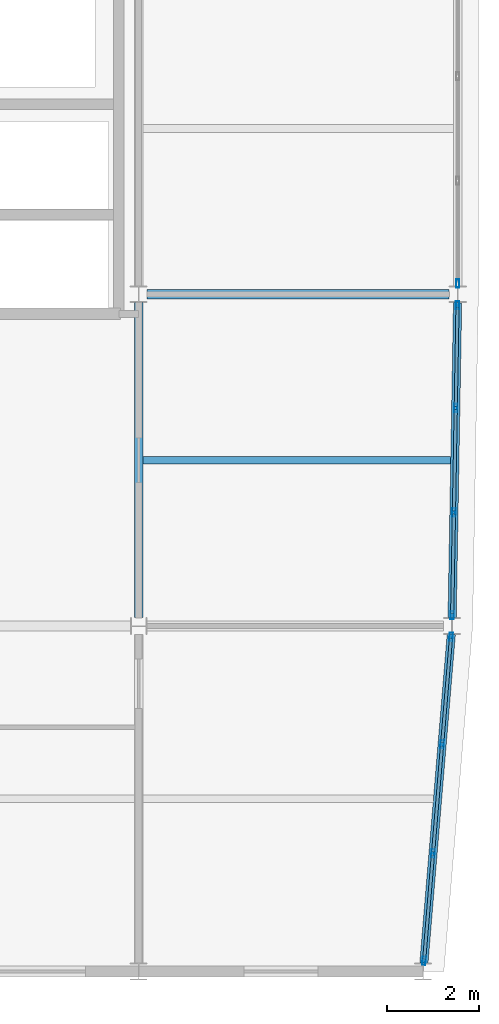
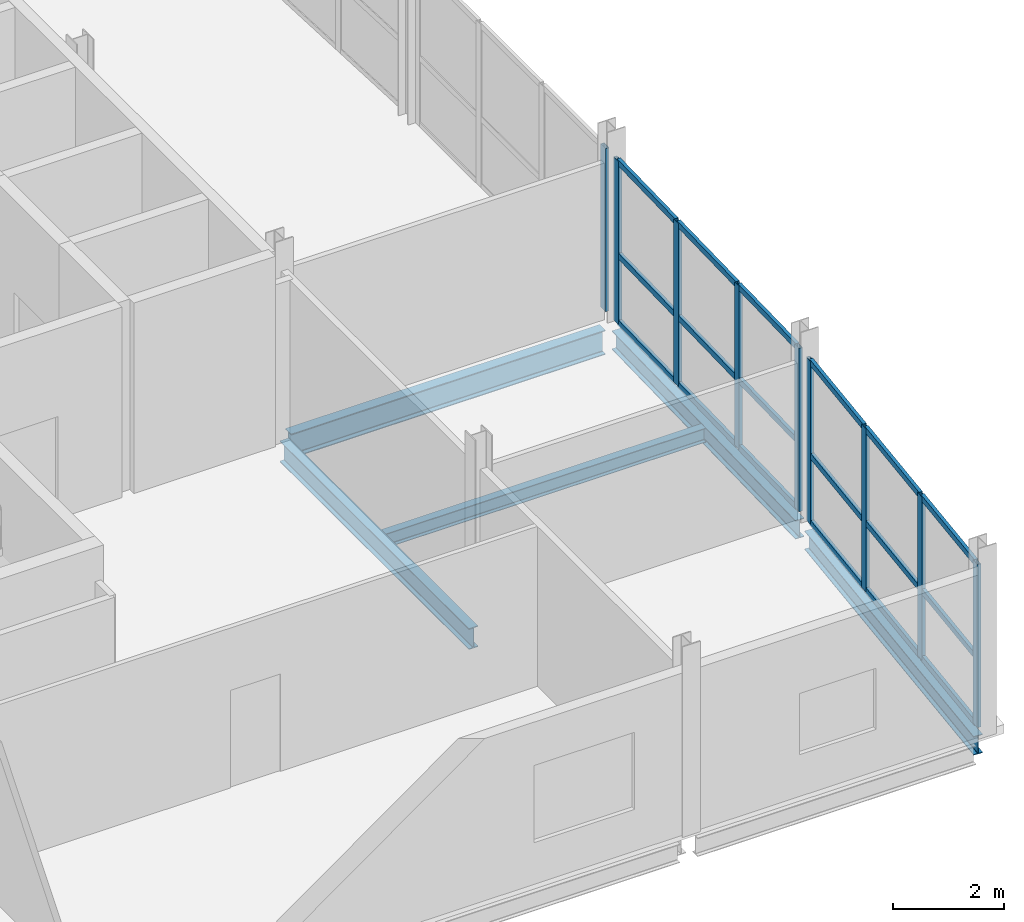
# One storey, part 2 of 16: 27 members, 5 beams, 3 elements without a shape of their own.
"""IFC4 building model written with IfcOpenShell, lengths in metres."""

from ifc_helpers import new_model, si_unit, direction, frame, origin, origin_2d, place, context, subcontext, project, spatial, hollow_rectangle, i_section, extrude, material, layer, layer_set, material_profile, profile_set, type_object, element, aggregate, save


model = new_model("IFC4")

# Units and contexts
model_context = context("Model", 3, precision=1e-05, world=origin(), true_north=direction((0.0, 1.0)))
body_context = subcontext(model_context, "Body", "Model", "MODEL_VIEW")
ifc_project = project(units=[si_unit("LENGTHUNIT", "METRE"), si_unit("AREAUNIT", "SQUARE_METRE"), si_unit("VOLUMEUNIT", "CUBIC_METRE"), si_unit("PLANEANGLEUNIT", "RADIAN"), si_unit("MASSUNIT", "GRAM", prefix="KILO")], contexts=[model_context])

# Site, building, storey
site_placement = place(None, origin())
site = spatial("IfcSite", under=ifc_project, at=site_placement, CompositionType="ELEMENT")
building_placement = place(site_placement, origin())
building = spatial("IfcBuilding", under=site, at=building_placement, Name="Quillay Park Conservatory", CompositionType="ELEMENT")
storey_placement = place(building_placement, frame((0.0, 0.0, 39.300048828125)))
storey = spatial("IfcBuildingStorey", under=building, at=storey_placement, Name="L09", CompositionType="ELEMENT", Elevation=39.300048828125)

# Beam
ifc_material_1 = material(Name="Steel ASTM A992 Grade 50", Category="steel")
ifc_material_profile_1 = material_profile(ifc_material_1, i_section(OverallWidth=0.166015625, OverallDepth=0.31298828125, WebThickness=0.006591796875, FlangeThickness=0.01123046875, FilletRadius=0.010009765625, at=origin_2d()), Name="W310x45")
ifc_profile_set_1 = profile_set([ifc_material_profile_1], Name="Steel ASTM A992 Grade 50")
beam_type_1 = type_object("IfcBeamType", Name="COMPOSITE FLOOR JOIST W310 X45", PredefinedType="JOIST", material=ifc_profile_set_1)
beam_1_placement = place(storey_placement, frame((19.845947265625, 81.60009765625, -0.3564453125), z_axis=(1.0, 0.0, 0.0), x_axis=(0.0, 1.0, 0.0)))
element("IfcBeam", 1, at=beam_1_placement, inside=storey, type_object=beam_type_1, Name="L09 beam BM-J-0683", PredefinedType="JOIST", context=body_context, shape_type="SweptSolid", body=[
    extrude(i_section(OverallWidth=0.166015625, OverallDepth=0.31298828125, WebThickness=0.006591796875, FlangeThickness=0.01123046875, FilletRadius=0.010009765625, at=origin_2d()), origin(), (0.0, 0.0, 1.0), 6.676513671875),
])

# Curtain wall, members
ifc_material_2 = material(Name="Thermally Broken Anodised Aluminium 6063-T6", Category="aluminium")
ifc_layer = layer(ifc_material_2, 0.179931640625)
ifc_layer_set = layer_set([ifc_layer], Name="UNITISED CURTAIN WALL TOWER (Thermally Broken Anodised Aluminium 6063-T6)")
curtain_wall_type = type_object("IfcCurtainWallType", Name="UNITISED CURTAIN WALL TOWER", PredefinedType="USERDEFINED", material=ifc_layer_set)
curtain_wall_1_placement = place(storey_placement, origin())
curtain_wall_1 = element("IfcCurtainWall", 2, at=curtain_wall_1_placement, inside=storey, type_object=curtain_wall_type, Name="L09 Unitised Curtain Wall 087", ObjectType="UNITISED CURTAIN WALL", PredefinedType="USERDEFINED")
ifc_material_3 = material(Name="Thermally Broken Anodised Aluminium 6063-T6", Category="aluminium")
ifc_material_profile_2 = material_profile(ifc_material_3, hollow_rectangle(XDim=0.070068359375, YDim=0.179931640625, WallThickness=0.00390625, at=origin_2d()), Name="AL70x180x4")
ifc_profile_set_2 = profile_set([ifc_material_profile_2], Name="Thermally Broken Anodised Aluminium 6063-T6")
member_type_1 = type_object("IfcMemberType", Name="CURTAIN WALL MULLION 70 X180", PredefinedType="MULLION", material=ifc_profile_set_2)
member_1_placement = place(storey_placement, frame((26.530517578125, 77.765869140625, 0.0), z_axis=(0.0, 0.0, 1.0), x_axis=(0.996545564682, -0.083047802572, 0.0)))
member_1 = element("IfcMember", 3, at=member_1_placement, type_object=member_type_1, Name="CW-T1 mullion 1", PredefinedType="MULLION", context=body_context, shape_type="SweptSolid", body=[
    extrude(hollow_rectangle(XDim=0.070068359375, YDim=0.179931640625, WallThickness=0.00390625, at=origin_2d()), origin(), (0.0, 0.0, 1.0), 3.598876953125),
])
member_2_placement = place(storey_placement, frame((26.336181640625, 75.43359375, 0.0), z_axis=(0.0, 0.0, 1.0), x_axis=(0.996545564682, -0.083047802572, 0.0)))
member_2 = element("IfcMember", 4, at=member_2_placement, type_object=member_type_1, Name="CW-T1 mullion 2", PredefinedType="MULLION", context=body_context, shape_type="SweptSolid", body=[
    extrude(hollow_rectangle(XDim=0.070068359375, YDim=0.179931640625, WallThickness=0.00390625, at=origin_2d()), origin(), (0.0, 0.0, 1.0), 3.598876953125),
])
member_3_placement = place(storey_placement, frame((26.138916015625, 73.06640625, 0.0), z_axis=(0.0, 0.0, 1.0), x_axis=(0.996545564682, -0.083047802572, 0.0)))
member_3 = element("IfcMember", 5, at=member_3_placement, type_object=member_type_1, Name="CW-T1 mullion 3", PredefinedType="MULLION", context=body_context, shape_type="SweptSolid", body=[
    extrude(hollow_rectangle(XDim=0.070068359375, YDim=0.179931640625, WallThickness=0.00390625, at=origin_2d()), origin(), (0.0, 0.0, 1.0), 3.598876953125),
])
member_4_placement = place(storey_placement, frame((25.944580078125, 70.734130859375, 0.0), z_axis=(0.0, 0.0, 1.0), x_axis=(0.996545564682, -0.083047802572, 0.0)))
member_4 = element("IfcMember", 6, at=member_4_placement, type_object=member_type_1, Name="CW-T1 mullion 4", PredefinedType="MULLION", context=body_context, shape_type="SweptSolid", body=[
    extrude(hollow_rectangle(XDim=0.070068359375, YDim=0.179931640625, WallThickness=0.00390625, at=origin_2d()), origin(), (0.0, 0.0, 1.0), 3.598876953125),
])

curtain_wall_2_placement = place(storey_placement, origin())
curtain_wall_2 = element("IfcCurtainWall", 7, at=curtain_wall_2_placement, inside=storey, type_object=curtain_wall_type, Name="L09 Unitised Curtain Wall 088", ObjectType="UNITISED CURTAIN WALL", PredefinedType="USERDEFINED")
member_5_placement = place(storey_placement, frame((26.6708984375, 84.965087890625, 0.0), z_axis=(0.0, 0.0, 1.0), x_axis=(0.999849471711, -0.017350329071, 0.0)))
member_5 = element("IfcMember", 8, at=member_5_placement, type_object=member_type_1, Name="CW-T1 mullion 1", PredefinedType="MULLION", context=body_context, shape_type="SweptSolid", body=[
    extrude(hollow_rectangle(XDim=0.070068359375, YDim=0.179931640625, WallThickness=0.00390625, at=origin_2d()), origin(), (0.0, 0.0, 1.0), 3.598876953125),
])
member_6_placement = place(storey_placement, frame((26.632080078125, 82.7333984375, 0.0), z_axis=(0.0, 0.0, 1.0), x_axis=(0.999849471711, -0.017350329071, 0.0)))
member_6 = element("IfcMember", 9, at=member_6_placement, type_object=member_type_1, Name="CW-T1 mullion 2", PredefinedType="MULLION", context=body_context, shape_type="SweptSolid", body=[
    extrude(hollow_rectangle(XDim=0.070068359375, YDim=0.179931640625, WallThickness=0.00390625, at=origin_2d()), origin(), (0.0, 0.0, 1.0), 3.598876953125),
])
member_7_placement = place(storey_placement, frame((26.5927734375, 80.466552734375, 0.0), z_axis=(0.0, 0.0, 1.0), x_axis=(0.999849471711, -0.017350329071, 0.0)))
member_7 = element("IfcMember", 10, at=member_7_placement, type_object=member_type_1, Name="CW-T1 mullion 3", PredefinedType="MULLION", context=body_context, shape_type="SweptSolid", body=[
    extrude(hollow_rectangle(XDim=0.070068359375, YDim=0.179931640625, WallThickness=0.00390625, at=origin_2d()), origin(), (0.0, 0.0, 1.0), 3.598876953125),
])
member_8_placement = place(storey_placement, frame((26.55419921875, 78.235107421875, 0.0), z_axis=(0.0, 0.0, 1.0), x_axis=(0.999849471711, -0.017350329071, 0.0)))
member_8 = element("IfcMember", 11, at=member_8_placement, type_object=member_type_1, Name="CW-T1 mullion 4", PredefinedType="MULLION", context=body_context, shape_type="SweptSolid", body=[
    extrude(hollow_rectangle(XDim=0.070068359375, YDim=0.179931640625, WallThickness=0.00390625, at=origin_2d()), origin(), (0.0, 0.0, 1.0), 3.598876953125),
])

# Curtain wall, member
curtain_wall_3_placement = place(storey_placement, origin())
curtain_wall_3 = element("IfcCurtainWall", 12, at=curtain_wall_3_placement, inside=storey, type_object=curtain_wall_type, Name="L09 Unitised Curtain Wall 089", ObjectType="UNITISED CURTAIN WALL", PredefinedType="USERDEFINED")
member_9_placement = place(storey_placement, frame((26.675048828125, 85.43505859375, 0.0), z_axis=(0.0, 0.0, 1.0), x_axis=(1.0, 0.0, 0.0)))
member_9 = element("IfcMember", 13, at=member_9_placement, type_object=member_type_1, Name="CW-T1 mullion 4", PredefinedType="MULLION", context=body_context, shape_type="SweptSolid", body=[
    extrude(hollow_rectangle(XDim=0.070068359375, YDim=0.179931640625, WallThickness=0.00390625, at=origin_2d()), origin(), (0.0, 0.0, 1.0), 3.598876953125),
])
aggregate(curtain_wall_3, [member_9])

# Member
ifc_material_4 = material(Name="Thermally Broken Anodised Aluminium 6063-T6", Category="aluminium")
ifc_material_profile_3 = material_profile(ifc_material_4, hollow_rectangle(XDim=0.070068359375, YDim=0.1298828125, WallThickness=0.003173828125, at=origin_2d()), Name="AL70x130x3.2")
ifc_profile_set_3 = profile_set([ifc_material_profile_3], Name="Thermally Broken Anodised Aluminium 6063-T6")
member_type_2 = type_object("IfcMemberType", Name="CURTAIN WALL TRANSOM 70 X130", PredefinedType="USERDEFINED", material=ifc_profile_set_3)
member_10_placement = place(storey_placement, frame((26.527587890625, 77.73095703125, 0.034912109375), z_axis=(-0.083018780913, -0.996547982796, 0.0), x_axis=(0.996547982796, -0.083018780913, 0.0)))
member_10 = element("IfcMember", 14, at=member_10_placement, type_object=member_type_2, Name="CW-T1 transom 1.1", ObjectType="TRANSOM", PredefinedType="USERDEFINED", context=body_context, shape_type="SweptSolid", body=[
    extrude(hollow_rectangle(XDim=0.070068359375, YDim=0.1298828125, WallThickness=0.003173828125, at=origin_2d()), origin(), (0.0, 0.0, 1.0), 2.270263671875),
])

member_11_placement = place(storey_placement, frame((26.527587890625, 77.73095703125, 1.511474609375), z_axis=(-0.083018780913, -0.996547982796, 0.0), x_axis=(0.996547982796, -0.083018780913, 0.0)))
member_11 = element("IfcMember", 15, at=member_11_placement, type_object=member_type_2, Name="CW-T1 transom 1.2", ObjectType="TRANSOM", PredefinedType="USERDEFINED", context=body_context, shape_type="SweptSolid", body=[
    extrude(hollow_rectangle(XDim=0.070068359375, YDim=0.1298828125, WallThickness=0.003173828125, at=origin_2d()), origin(), (0.0, 0.0, 1.0), 2.270263671875),
])

member_12_placement = place(storey_placement, frame((26.527587890625, 77.73095703125, 3.56396484375), z_axis=(-0.083018780913, -0.996547982796, 0.0), x_axis=(0.996547982796, -0.083018780913, 0.0)))
member_12 = element("IfcMember", 16, at=member_12_placement, type_object=member_type_2, Name="CW-T1 transom 1.3", ObjectType="TRANSOM", PredefinedType="USERDEFINED", context=body_context, shape_type="SweptSolid", body=[
    extrude(hollow_rectangle(XDim=0.070068359375, YDim=0.1298828125, WallThickness=0.003173828125, at=origin_2d()), origin(), (0.0, 0.0, 1.0), 2.270263671875),
])

member_13_placement = place(storey_placement, frame((26.333251953125, 75.398681640625, 0.034912109375), z_axis=(-0.083027951069, -0.996547218822, 0.0), x_axis=(0.996547218822, -0.083027951069, 0.0)))
member_13 = element("IfcMember", 17, at=member_13_placement, type_object=member_type_2, Name="CW-T1 transom 2.1", ObjectType="TRANSOM", PredefinedType="USERDEFINED", context=body_context, shape_type="SweptSolid", body=[
    extrude(hollow_rectangle(XDim=0.070068359375, YDim=0.1298828125, WallThickness=0.003173828125, at=origin_2d()), origin(), (0.0, 0.0, 1.0), 2.305419921875),
])

member_14_placement = place(storey_placement, frame((26.333251953125, 75.398681640625, 1.511474609375), z_axis=(-0.083027951069, -0.996547218822, 0.0), x_axis=(0.996547218822, -0.083027951069, 0.0)))
member_14 = element("IfcMember", 18, at=member_14_placement, type_object=member_type_2, Name="CW-T1 transom 2.2", ObjectType="TRANSOM", PredefinedType="USERDEFINED", context=body_context, shape_type="SweptSolid", body=[
    extrude(hollow_rectangle(XDim=0.070068359375, YDim=0.1298828125, WallThickness=0.003173828125, at=origin_2d()), origin(), (0.0, 0.0, 1.0), 2.305419921875),
])

member_15_placement = place(storey_placement, frame((26.333251953125, 75.398681640625, 3.56396484375), z_axis=(-0.083027951069, -0.996547218822, 0.0), x_axis=(0.996547218822, -0.083027951069, 0.0)))
member_15 = element("IfcMember", 19, at=member_15_placement, type_object=member_type_2, Name="CW-T1 transom 2.3", ObjectType="TRANSOM", PredefinedType="USERDEFINED", context=body_context, shape_type="SweptSolid", body=[
    extrude(hollow_rectangle(XDim=0.070068359375, YDim=0.1298828125, WallThickness=0.003173828125, at=origin_2d()), origin(), (0.0, 0.0, 1.0), 2.305419921875),
])

member_16_placement = place(storey_placement, frame((26.135986328125, 73.031494140625, 0.034912109375), z_axis=(-0.083018780913, -0.996547982796, 0.0), x_axis=(0.996547982796, -0.083018780913, 0.0)))
member_16 = element("IfcMember", 20, at=member_16_placement, type_object=member_type_2, Name="CW-T1 transom 3.1", ObjectType="TRANSOM", PredefinedType="USERDEFINED", context=body_context, shape_type="SweptSolid", body=[
    extrude(hollow_rectangle(XDim=0.070068359375, YDim=0.1298828125, WallThickness=0.003173828125, at=origin_2d()), origin(), (0.0, 0.0, 1.0), 2.270263671875),
])

member_17_placement = place(storey_placement, frame((26.135986328125, 73.031494140625, 1.511474609375), z_axis=(-0.083018780913, -0.996547982796, 0.0), x_axis=(0.996547982796, -0.083018780913, 0.0)))
member_17 = element("IfcMember", 21, at=member_17_placement, type_object=member_type_2, Name="CW-T1 transom 3.2", ObjectType="TRANSOM", PredefinedType="USERDEFINED", context=body_context, shape_type="SweptSolid", body=[
    extrude(hollow_rectangle(XDim=0.070068359375, YDim=0.1298828125, WallThickness=0.003173828125, at=origin_2d()), origin(), (0.0, 0.0, 1.0), 2.270263671875),
])

member_18_placement = place(storey_placement, frame((26.135986328125, 73.031494140625, 3.56396484375), z_axis=(-0.083018780913, -0.996547982796, 0.0), x_axis=(0.996547982796, -0.083018780913, 0.0)))
member_18 = element("IfcMember", 22, at=member_18_placement, type_object=member_type_2, Name="CW-T1 transom 3.3", ObjectType="TRANSOM", PredefinedType="USERDEFINED", context=body_context, shape_type="SweptSolid", body=[
    extrude(hollow_rectangle(XDim=0.070068359375, YDim=0.1298828125, WallThickness=0.003173828125, at=origin_2d()), origin(), (0.0, 0.0, 1.0), 2.270263671875),
])

aggregate(curtain_wall_1, [member_1, member_2, member_3, member_4, member_10, member_11, member_12, member_13, member_14, member_15, member_16, member_17, member_18])

member_19_placement = place(storey_placement, frame((26.670166015625, 84.929931640625, 0.034912109375), z_axis=(-0.017277745819, -0.999850728609, 0.0), x_axis=(0.999850728609, -0.017277745819, 0.0)))
member_19 = element("IfcMember", 23, at=member_19_placement, type_object=member_type_2, Name="CW-T1 transom 1.1", ObjectType="TRANSOM", PredefinedType="USERDEFINED", context=body_context, shape_type="SweptSolid", body=[
    extrude(hollow_rectangle(XDim=0.070068359375, YDim=0.1298828125, WallThickness=0.003173828125, at=origin_2d()), origin(), (0.0, 0.0, 1.0), 2.161865234375),
])

member_20_placement = place(storey_placement, frame((26.670166015625, 84.929931640625, 1.511474609375), z_axis=(-0.017277745819, -0.999850728609, 0.0), x_axis=(0.999850728609, -0.017277745819, 0.0)))
member_20 = element("IfcMember", 24, at=member_20_placement, type_object=member_type_2, Name="CW-T1 transom 1.2", ObjectType="TRANSOM", PredefinedType="USERDEFINED", context=body_context, shape_type="SweptSolid", body=[
    extrude(hollow_rectangle(XDim=0.070068359375, YDim=0.1298828125, WallThickness=0.003173828125, at=origin_2d()), origin(), (0.0, 0.0, 1.0), 2.161865234375),
])

member_21_placement = place(storey_placement, frame((26.670166015625, 84.929931640625, 3.56396484375), z_axis=(-0.017277745819, -0.999850728609, 0.0), x_axis=(0.999850728609, -0.017277745819, 0.0)))
member_21 = element("IfcMember", 25, at=member_21_placement, type_object=member_type_2, Name="CW-T1 transom 1.3", ObjectType="TRANSOM", PredefinedType="USERDEFINED", context=body_context, shape_type="SweptSolid", body=[
    extrude(hollow_rectangle(XDim=0.070068359375, YDim=0.1298828125, WallThickness=0.003173828125, at=origin_2d()), origin(), (0.0, 0.0, 1.0), 2.161865234375),
])

member_22_placement = place(storey_placement, frame((26.631591796875, 82.6982421875, 0.034912109375), z_axis=(-0.017336507168, -0.999849711466, 0.0), x_axis=(0.999849711466, -0.017336507168, 0.0)))
member_22 = element("IfcMember", 26, at=member_22_placement, type_object=member_type_2, Name="CW-T1 transom 2.1", ObjectType="TRANSOM", PredefinedType="USERDEFINED", context=body_context, shape_type="SweptSolid", body=[
    extrude(hollow_rectangle(XDim=0.070068359375, YDim=0.1298828125, WallThickness=0.003173828125, at=origin_2d()), origin(), (0.0, 0.0, 1.0), 2.19677734375),
])

member_23_placement = place(storey_placement, frame((26.631591796875, 82.6982421875, 1.511474609375), z_axis=(-0.017336507168, -0.999849711466, 0.0), x_axis=(0.999849711466, -0.017336507168, 0.0)))
member_23 = element("IfcMember", 27, at=member_23_placement, type_object=member_type_2, Name="CW-T1 transom 2.2", ObjectType="TRANSOM", PredefinedType="USERDEFINED", context=body_context, shape_type="SweptSolid", body=[
    extrude(hollow_rectangle(XDim=0.070068359375, YDim=0.1298828125, WallThickness=0.003173828125, at=origin_2d()), origin(), (0.0, 0.0, 1.0), 2.19677734375),
])

member_24_placement = place(storey_placement, frame((26.631591796875, 82.6982421875, 3.56396484375), z_axis=(-0.017336507168, -0.999849711466, 0.0), x_axis=(0.999849711466, -0.017336507168, 0.0)))
member_24 = element("IfcMember", 28, at=member_24_placement, type_object=member_type_2, Name="CW-T1 transom 2.3", ObjectType="TRANSOM", PredefinedType="USERDEFINED", context=body_context, shape_type="SweptSolid", body=[
    extrude(hollow_rectangle(XDim=0.070068359375, YDim=0.1298828125, WallThickness=0.003173828125, at=origin_2d()), origin(), (0.0, 0.0, 1.0), 2.19677734375),
])

member_25_placement = place(storey_placement, frame((26.59228515625, 80.431640625, 0.034912109375), z_axis=(-0.01739063822, -0.999848771416, 0.0), x_axis=(0.999848771416, -0.01739063822, 0.0)))
member_25 = element("IfcMember", 29, at=member_25_placement, type_object=member_type_2, Name="CW-T1 transom 3.1", ObjectType="TRANSOM", PredefinedType="USERDEFINED", context=body_context, shape_type="SweptSolid", body=[
    extrude(hollow_rectangle(XDim=0.070068359375, YDim=0.1298828125, WallThickness=0.003173828125, at=origin_2d()), origin(), (0.0, 0.0, 1.0), 2.161865234375),
])

member_26_placement = place(storey_placement, frame((26.59228515625, 80.431640625, 1.511474609375), z_axis=(-0.01739063822, -0.999848771416, 0.0), x_axis=(0.999848771416, -0.01739063822, 0.0)))
member_26 = element("IfcMember", 30, at=member_26_placement, type_object=member_type_2, Name="CW-T1 transom 3.2", ObjectType="TRANSOM", PredefinedType="USERDEFINED", context=body_context, shape_type="SweptSolid", body=[
    extrude(hollow_rectangle(XDim=0.070068359375, YDim=0.1298828125, WallThickness=0.003173828125, at=origin_2d()), origin(), (0.0, 0.0, 1.0), 2.161865234375),
])

member_27_placement = place(storey_placement, frame((26.59228515625, 80.431640625, 3.56396484375), z_axis=(-0.01739063822, -0.999848771416, 0.0), x_axis=(0.999848771416, -0.01739063822, 0.0)))
member_27 = element("IfcMember", 31, at=member_27_placement, type_object=member_type_2, Name="CW-T1 transom 3.3", ObjectType="TRANSOM", PredefinedType="USERDEFINED", context=body_context, shape_type="SweptSolid", body=[
    extrude(hollow_rectangle(XDim=0.070068359375, YDim=0.1298828125, WallThickness=0.003173828125, at=origin_2d()), origin(), (0.0, 0.0, 1.0), 2.161865234375),
])

aggregate(curtain_wall_2, [member_5, member_6, member_7, member_8, member_19, member_20, member_21, member_22, member_23, member_24, member_25, member_26, member_27])

# Beams
ifc_material_5 = material(Name="Steel ASTM A992 Grade 50", Category="steel")
ifc_material_profile_4 = material_profile(ifc_material_5, i_section(OverallWidth=0.179931640625, OverallDepth=0.4130859375, WebThickness=0.009765625, FlangeThickness=0.01611328125, FilletRadius=0.011962890625, at=origin_2d()), Name="W410x74")
ifc_profile_set_4 = profile_set([ifc_material_profile_4], Name="Steel ASTM A992 Grade 50")
beam_type_2 = type_object("IfcBeamType", Name="PERIMETER SPANDREL BEAM W410 X74", PredefinedType="SPANDREL", material=ifc_profile_set_4)
beam_2_placement = place(storey_placement, frame((25.940185546875, 70.681396484375, -0.406494140625), z_axis=(0.083039837601, 0.996546228417, 0.0), x_axis=(-0.996546228417, 0.083039837601, 0.0)))
element("IfcBeam", 32, at=beam_2_placement, inside=storey, type_object=beam_type_2, Name="L09 beam BM-SPE-0672", PredefinedType="SPANDREL", context=body_context, shape_type="SweptSolid", body=[
    extrude(i_section(OverallWidth=0.179931640625, OverallDepth=0.4130859375, WebThickness=0.009765625, FlangeThickness=0.01611328125, FilletRadius=0.011962890625, at=origin_2d()), origin(), (0.0, 0.0, 1.0), 7.161865234375),
])
beam_3_placement = place(storey_placement, frame((26.55322265625, 78.181884765625, -0.406494140625), z_axis=(0.017353909255, 0.999849409578, 0.0), x_axis=(-0.999849409578, 0.017353909255, 0.0)))
element("IfcBeam", 33, at=beam_3_placement, inside=storey, type_object=beam_type_2, Name="L09 beam BM-SPE-0679", PredefinedType="SPANDREL", context=body_context, shape_type="SweptSolid", body=[
    extrude(i_section(OverallWidth=0.179931640625, OverallDepth=0.4130859375, WebThickness=0.009765625, FlangeThickness=0.01611328125, FilletRadius=0.011962890625, at=origin_2d()), origin(), (0.0, 0.0, 1.0), 6.837158203125),
])
ifc_material_6 = material(Name="Steel ASTM A992 Grade 50", Category="steel")
ifc_material_profile_5 = material_profile(ifc_material_6, i_section(OverallWidth=0.19189453125, OverallDepth=0.462890625, WebThickness=0.010498046875, FlangeThickness=0.017578125, FilletRadius=0.012939453125, at=origin_2d()), Name="W460x89")
ifc_profile_set_5 = profile_set([ifc_material_profile_5], Name="Steel ASTM A992 Grade 50")
beam_type_3 = type_object("IfcBeamType", Name="PRIMARY FLOOR GIRDER W460 X89", PredefinedType="BEAM", material=ifc_profile_set_5)
beam_4_placement = place(storey_placement, frame((19.75, 78.185546875, -0.431640625), z_axis=(0.0, 1.0, 0.0), x_axis=(-1.0, 0.0, 0.0)))
element("IfcBeam", 34, at=beam_4_placement, inside=storey, type_object=beam_type_3, Name="L09 beam BM-GNS-0681", PredefinedType="BEAM", context=body_context, shape_type="SweptSolid", body=[
    extrude(i_section(OverallWidth=0.19189453125, OverallDepth=0.462890625, WebThickness=0.010498046875, FlangeThickness=0.017578125, FilletRadius=0.012939453125, at=origin_2d()), origin(), (0.0, 0.0, 1.0), 6.83251953125),
])
ifc_material_7 = material(Name="Steel ASTM A992 Grade 50", Category="steel")
ifc_material_profile_6 = material_profile(ifc_material_7, i_section(OverallWidth=0.2109375, OverallDepth=0.5390625, WebThickness=0.01171875, FlangeThickness=0.018798828125, FilletRadius=0.013916015625, at=origin_2d()), Name="W530x109")
ifc_profile_set_6 = profile_set([ifc_material_profile_6], Name="Steel ASTM A992 Grade 50")
beam_type_4 = type_object("IfcBeamType", Name="PRIMARY FLOOR GIRDER W530 X109", PredefinedType="BEAM", material=ifc_profile_set_6)
beam_5_placement = place(storey_placement, frame((19.935546875, 85.199951171875, -0.469482421875), z_axis=(1.0, 0.0, 0.0), x_axis=(0.0, 1.0, 0.0)))
element("IfcBeam", 35, at=beam_5_placement, inside=storey, type_object=beam_type_4, Name="L09 beam BM-G-0659", PredefinedType="BEAM", context=body_context, shape_type="SweptSolid", body=[
    extrude(i_section(OverallWidth=0.2109375, OverallDepth=0.5390625, WebThickness=0.01171875, FlangeThickness=0.018798828125, FilletRadius=0.013916015625, at=origin_2d()), origin(), (0.0, 0.0, 1.0), 6.553955078125),
])

save(model, "model.ifc")
